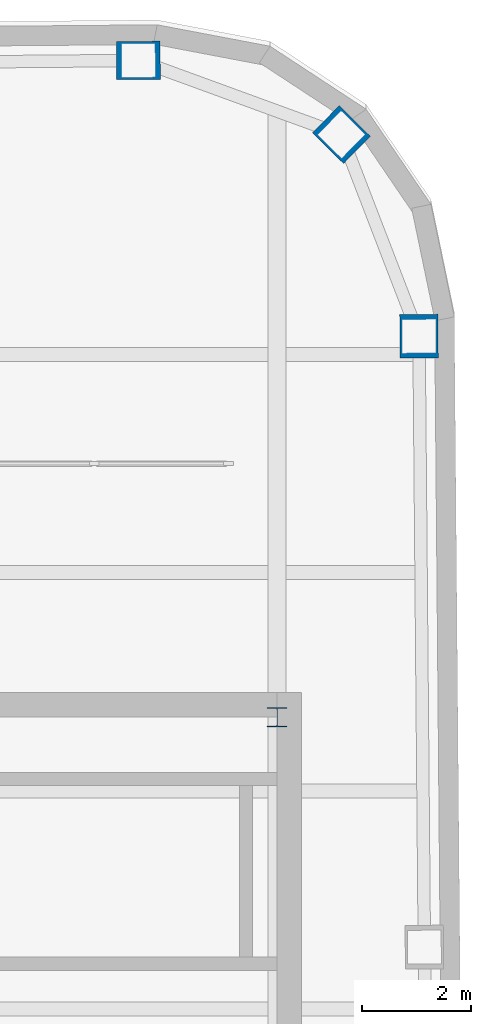
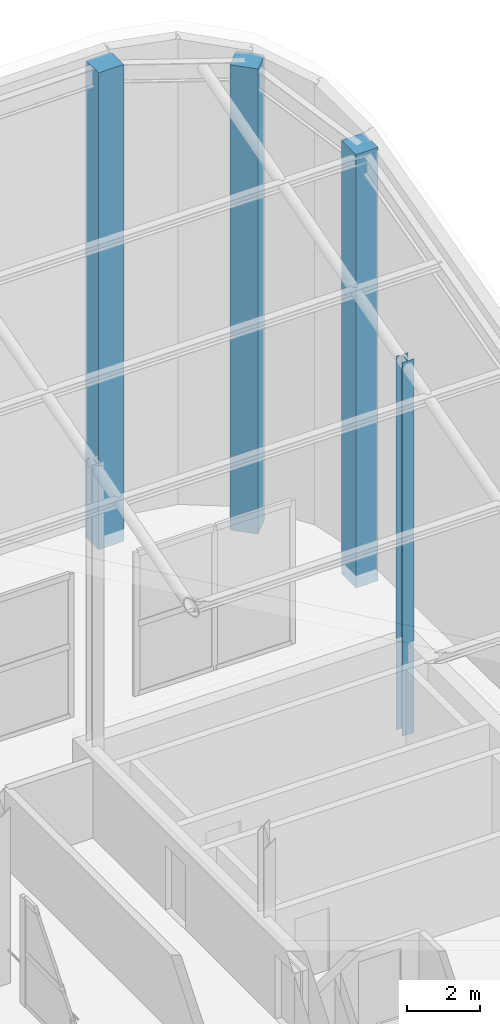
# One storey, part 4 of 17: 4 columns.
"""IFC4 building model written with IfcOpenShell, lengths in metres."""

from ifc_helpers import new_model, si_unit, direction, frame, origin, origin_2d, place, context, subcontext, project, spatial, rectangle, i_section, extrude, material, material_profile, profile_set, type_object, element, save


model = new_model("IFC4")

# Units and contexts
model_context = context("Model", 3, precision=1e-05, world=origin(), true_north=direction((0.0, 1.0)))
body_context = subcontext(model_context, "Body", "Model", "MODEL_VIEW")
ifc_project = project(units=[si_unit("LENGTHUNIT", "METRE"), si_unit("AREAUNIT", "SQUARE_METRE"), si_unit("VOLUMEUNIT", "CUBIC_METRE"), si_unit("PLANEANGLEUNIT", "RADIAN"), si_unit("MASSUNIT", "GRAM", prefix="KILO")], contexts=[model_context])

# Site, building, storey
site_placement = place(None, origin())
site = spatial("IfcSite", under=ifc_project, at=site_placement, CompositionType="ELEMENT")
building_placement = place(site_placement, origin())
building = spatial("IfcBuilding", under=site, at=building_placement, Name="Kolvaren Arena Tower", CompositionType="ELEMENT")
storey_placement = place(building_placement, frame((0.0, 0.0, 322.0)))
storey = spatial("IfcBuildingStorey", under=building, at=storey_placement, Name="Roof Crown", CompositionType="ELEMENT", Elevation=322.0)

# Columns
ifc_material_1 = material(Name="Precast concrete C50/60", Category="concrete")
ifc_material_profile_1 = material_profile(ifc_material_1, rectangle(XDim=0.800048828125, YDim=0.699951171875, at=origin_2d()), Name="RC-800x700")
ifc_profile_set_1 = profile_set([ifc_material_profile_1], Name="Precast concrete C50/60")
column_type_1 = type_object("IfcColumnType", Name="EXCOL-Z5", PredefinedType="COLUMN", material=ifc_profile_set_1)
column_1_placement = place(storey_placement, frame((62.952392578125, 46.333984375, -0.419921875), z_axis=(0.0, 0.0, 1.0), x_axis=(-0.008726535498, 0.999961923064, 0.0)))
element("IfcColumn", 1, at=column_1_placement, inside=storey, type_object=column_type_1, Name="Exoskeleton Perimeter Column 10 (Roof Crown)", PredefinedType="COLUMN", context=body_context, shape_type="SweptSolid", body=[
    extrude(rectangle(XDim=0.800048828125, YDim=0.699951171875, at=origin_2d()), origin(), (0.0, 0.0, 1.0), 14.489990234375),
])
column_2_placement = place(storey_placement, frame((61.52880859375, 50.030517578125, -0.419921875), z_axis=(0.0, 0.0, 1.0), x_axis=(-0.713250449154, 0.7009092643, 0.0)))
element("IfcColumn", 2, at=column_2_placement, inside=storey, type_object=column_type_1, Name="Exoskeleton Perimeter Column 11 (Roof Crown)", PredefinedType="COLUMN", context=body_context, shape_type="SweptSolid", body=[
    extrude(rectangle(XDim=0.800048828125, YDim=0.699951171875, at=origin_2d()), origin(), (0.0, 0.0, 1.0), 15.555419921875),
])
column_3_placement = place(storey_placement, frame((57.80810546875, 51.389404296875, -0.419921875), z_axis=(0.0, 0.0, 1.0), x_axis=(0.999961923064, 0.008726535498, 0.0)))
element("IfcColumn", 3, at=column_3_placement, inside=storey, type_object=column_type_1, Name="Exoskeleton Perimeter Column 12 (Roof Crown)", PredefinedType="COLUMN", context=body_context, shape_type="SweptSolid", body=[
    extrude(rectangle(XDim=0.800048828125, YDim=0.699951171875, at=origin_2d()), origin(), (0.0, 0.0, 1.0), 15.947021484375),
])
ifc_material_2 = material(Name="Steel ASTM A913 Grade 65", Category="steel")
ifc_material_profile_2 = material_profile(ifc_material_2, i_section(OverallWidth=0.368896484375, OverallDepth=0.35595703125, WebThickness=0.01123046875, FlangeThickness=0.01806640625, FilletRadius=0.01806640625, at=origin_2d()), Name="W360x134")
ifc_profile_set_2 = profile_set([ifc_material_profile_2], Name="Steel ASTM A913 Grade 65")
column_type_2 = type_object("IfcColumnType", Name="SCOL-CR", PredefinedType="COLUMN", material=ifc_profile_set_2)
column_4_placement = place(storey_placement, frame((60.35009765625, 39.35009765625, -0.419921875), z_axis=(0.0, 0.0, 1.0), x_axis=(1.0, 0.0, 0.0)))
element("IfcColumn", 4, at=column_4_placement, inside=storey, type_object=column_type_2, Name="Core Boundary Column EC-NE (Roof Crown)", PredefinedType="COLUMN", context=body_context, shape_type="SweptSolid", body=[
    extrude(i_section(OverallWidth=0.368896484375, OverallDepth=0.35595703125, WebThickness=0.01123046875, FlangeThickness=0.01806640625, FilletRadius=0.01806640625, at=origin_2d()), origin(), (0.0, 0.0, 1.0), 12.48681640625),
])

save(model, "model.ifc")
